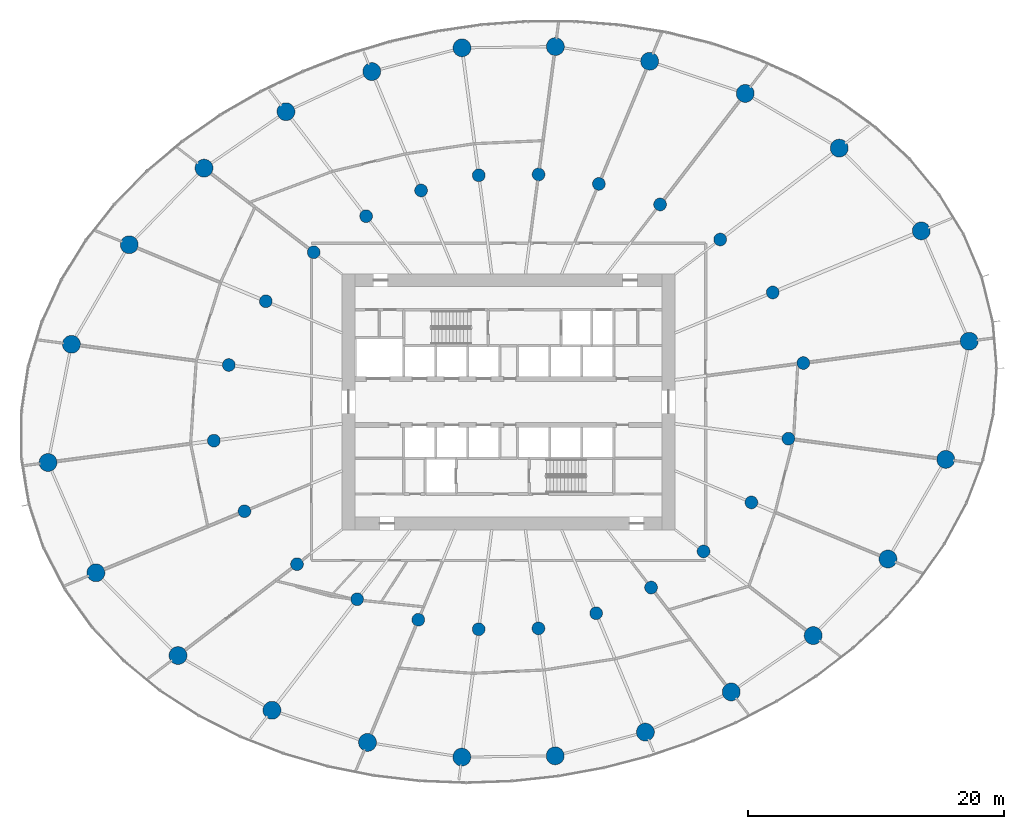
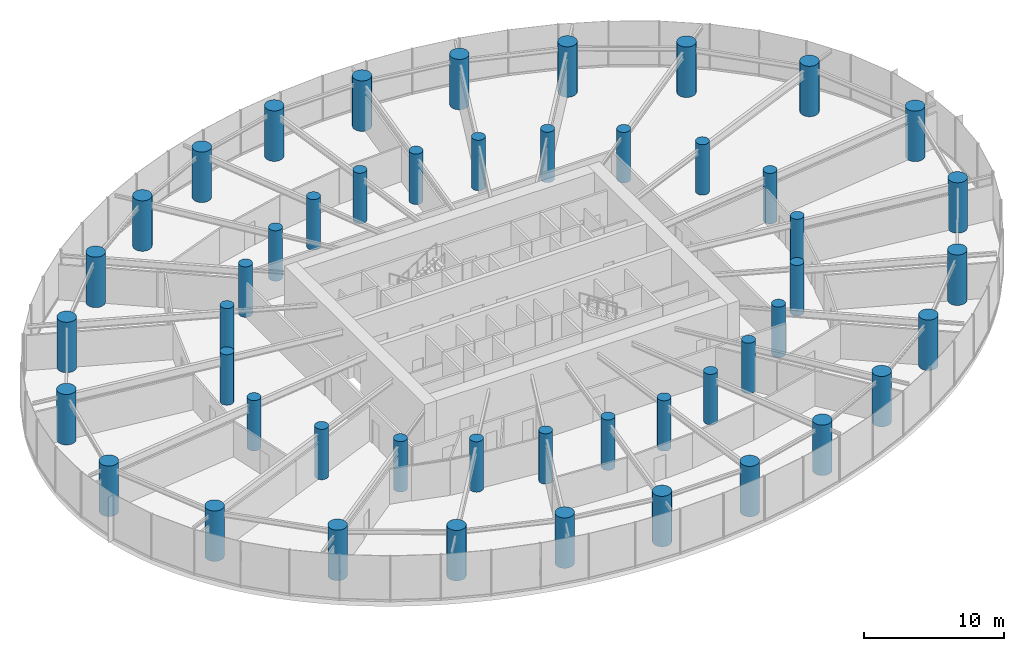
# One storey, part 1 of 19: 48 columns.
"""IFC4 building model written with IfcOpenShell, lengths in metres."""

from ifc_helpers import new_model, si_unit, direction, frame, origin, origin_2d, place, context, subcontext, project, spatial, circle, extrude, source, transform, mapped, material, material_profile, profile_set, type_object, element, save


model = new_model("IFC4")

# Units and contexts
model_context = context("Model", 3, precision=1e-05, world=origin(), true_north=direction((0.0, 1.0)))
body_context = subcontext(model_context, "Body", "Model", "MODEL_VIEW")
ifc_project = project(units=[si_unit("LENGTHUNIT", "METRE"), si_unit("AREAUNIT", "SQUARE_METRE"), si_unit("VOLUMEUNIT", "CUBIC_METRE"), si_unit("PLANEANGLEUNIT", "RADIAN"), si_unit("MASSUNIT", "GRAM", prefix="KILO")], contexts=[model_context])

# Site, building, storey
site_placement = place(None, origin())
site = spatial("IfcSite", under=ifc_project, at=site_placement, CompositionType="ELEMENT")
building_placement = place(site_placement, origin())
building = spatial("IfcBuilding", under=site, at=building_placement, Name="Spindrift Exchange Tower", CompositionType="ELEMENT")
storey_placement = place(building_placement, frame((0.0, 0.0, 49.0)))
storey = spatial("IfcBuildingStorey", under=building, at=storey_placement, Name="L11", CompositionType="ELEMENT", Elevation=49.0)

# Columns
ifc_material = material(Name="Concrete 80 MPa", Category="concrete")
ifc_material_profile_1 = material_profile(ifc_material, circle(Radius=0.699951171875, at=origin_2d()), Name="RC D1400")
ifc_profile_set_1 = profile_set([ifc_material_profile_1], Name="Concrete 80 MPa")
column_type_1 = type_object("IfcColumnType", Name="RC Perimeter Column D1400 Concrete 80 MPa", PredefinedType="COLUMN", material=ifc_profile_set_1)
shared_shape_1 = source(origin(), body_context, "Body", "SweptSolid", [
    extrude(circle(Radius=0.699951171875, at=origin_2d()), origin(), (0.0, 0.0, 1.0), 4.39990234375),
])
for number, where, z_axis, x_axis, name in (
    (1, (87.990478515625, 52.73828125, 0.0), (0.0, 0.0, 1.0), (1.0, 0.0, 0.0), "Perimeter column P1-01 L11"),
    (2, (84.248779296875, 61.35791015625, 0.0), (0.0, 0.0, 1.0), (1.0, 0.0, 0.0), "Perimeter column P1-02 L11"),
    (3, (77.835693359375, 67.82421875, 0.0), (0.0, 0.0, 1.0), (1.0, 0.0, 0.0), "Perimeter column P1-03 L11"),
    (4, (70.4921875, 72.099609375, 0.0), (0.0, 0.0, 1.0), (1.0, 0.0, 0.0), "Perimeter column P1-04 L11"),
    (5, (63.022705078125, 74.611328125, 0.0), (0.0, 0.0, 1.0), (1.0, 0.0, 0.0), "Perimeter column P1-05 L11"),
    (6, (55.65478515625, 75.761474609375, 0.0), (0.0, 0.0, 1.0), (1.0, 0.0, 0.0), "Perimeter column P1-06 L11"),
    (7, (48.3583984375, 75.661376953125, 0.0), (0.0, 0.0, 1.0), (1.0, 0.0, 0.0), "Perimeter column P1-07 L11"),
    (8, (41.309814453125, 73.80859375, 0.0), (0.0, 0.0, 1.0), (1.0, 0.0, 0.0), "Perimeter column P1-08 L11"),
    (9, (34.603515625, 70.671630859375, 0.0), (0.0, 0.0, 1.0), (1.0, 0.0, 0.0), "Perimeter column P1-09 L11"),
    (10, (28.199462890625, 66.2626953125, 0.0), (0.0, 0.0, 1.0), (1.0, 0.0, 0.0), "Perimeter column P1-10 L11"),
    (11, (22.35546875, 60.279296875, 0.0), (0.0, 0.0, 1.0), (1.0, 0.0, 0.0), "Perimeter column P1-11 L11"),
    (12, (17.8388671875, 52.497314453125, 0.0), (0.0, 0.0, 1.0), (1.0, 0.0, 0.0), "Perimeter column P1-12 L11"),
    (13, (16.009521484375, 43.26171875, 0.0), (0.0, 0.0, 1.0), (1.0, 0.0, 0.0), "Perimeter column P1-13 L11"),
    (14, (19.751220703125, 34.64208984375, 0.0), (0.0, 0.0, 1.0), (1.0, 0.0, 0.0), "Perimeter column P1-14 L11"),
    (15, (26.164306640625, 28.17578125, 0.0), (0.0, 0.0, 1.0), (1.0, 0.0, 0.0), "Perimeter column P1-15 L11"),
    (16, (33.5078125, 23.900390625, 0.0), (0.0, 0.0, 1.0), (1.0, 0.0, 0.0), "Perimeter column P1-16 L11"),
    (17, (40.977294921875, 21.388671875, 0.0), (0.0, 0.0, 1.0), (1.0, 0.0, 0.0), "Perimeter column P1-17 L11"),
    (18, (48.34521484375, 20.238525390625, 0.0), (0.0, 0.0, 1.0), (1.0, 0.0, 0.0), "Perimeter column P1-18 L11"),
    (19, (55.6416015625, 20.338623046875, 0.0), (0.0, 0.0, 1.0), (1.0, 0.0, 0.0), "Perimeter column P1-19 L11"),
    (20, (62.690185546875, 22.19140625, 0.0), (0.0, 0.0, 1.0), (1.0, 0.0, 0.0), "Perimeter column P1-20 L11"),
    (21, (69.396484375, 25.328369140625, 0.0), (0.0, 0.0, 1.0), (1.0, 0.0, 0.0), "Perimeter column P1-21 L11"),
    (22, (75.800537109375, 29.7373046875, 0.0), (0.0, 0.0, 1.0), (1.0, 0.0, 0.0), "Perimeter column P1-22 L11"),
    (23, (81.64453125, 35.720703125, 0.0), (0.0, 0.0, 1.0), (1.0, 0.0, 0.0), "Perimeter column P1-23 L11"),
    (24, (86.1611328125, 43.502685546875, 0.0), (0.0, 0.0, 1.0), (1.0, 0.0, 0.0), "Perimeter column P1-24 L11"),
):
    element("IfcColumn", number, at=place(storey_placement, frame(where, z_axis=z_axis, x_axis=x_axis)), inside=storey, type_object=column_type_1, Name=name, PredefinedType="COLUMN", context=body_context, shape_type="MappedRepresentation", body=[
        mapped(shared_shape_1, transform((0.0, 0.0, 0.0), scale=1.0)),
    ])
ifc_material_profile_2 = material_profile(ifc_material, circle(Radius=0.5, at=origin_2d()), Name="RC D1000")
ifc_profile_set_2 = profile_set([ifc_material_profile_2], Name="Concrete 80 MPa")
column_type_2 = type_object("IfcColumnType", Name="RC Inner Column D1000 Concrete 80 MPa", PredefinedType="COLUMN", material=ifc_profile_set_2)
shared_shape_2 = source(origin(), body_context, "Body", "SweptSolid", [
    extrude(circle(Radius=0.5, at=origin_2d()), origin(), (0.0, 0.0, 1.0), 4.39990234375),
])
for number, where, z_axis, x_axis, name in (
    (25, (75.033935546875, 51.032470703125, 0.0), (0.0, 0.0, 1.0), (1.0, 0.0, 0.0), "Inner column Q1-01 L11"),
    (26, (72.639404296875, 56.549072265625, 0.0), (0.0, 0.0, 1.0), (1.0, 0.0, 0.0), "Inner column Q1-02 L11"),
    (27, (68.534912109375, 60.6875, 0.0), (0.0, 0.0, 1.0), (1.0, 0.0, 0.0), "Inner column Q1-03 L11"),
    (28, (63.835205078125, 63.423828125, 0.0), (0.0, 0.0, 1.0), (1.0, 0.0, 0.0), "Inner column Q1-04 L11"),
    (29, (59.0546875, 65.03125, 0.0), (0.0, 0.0, 1.0), (1.0, 0.0, 0.0), "Inner column Q1-05 L11"),
    (30, (54.339111328125, 65.767333984375, 0.0), (0.0, 0.0, 1.0), (1.0, 0.0, 0.0), "Inner column Q1-06 L11"),
    (31, (49.669189453125, 65.703125, 0.0), (0.0, 0.0, 1.0), (1.0, 0.0, 0.0), "Inner column Q1-07 L11"),
    (32, (45.158203125, 64.517578125, 0.0), (0.0, 0.0, 1.0), (1.0, 0.0, 0.0), "Inner column Q1-08 L11"),
    (33, (40.8662109375, 62.510009765625, 0.0), (0.0, 0.0, 1.0), (1.0, 0.0, 0.0), "Inner column Q1-09 L11"),
    (34, (36.767578125, 59.688232421875, 0.0), (0.0, 0.0, 1.0), (1.0, 0.0, 0.0), "Inner column Q1-10 L11"),
    (35, (33.027587890625, 55.858642578125, 0.0), (0.0, 0.0, 1.0), (1.0, 0.0, 0.0), "Inner column Q1-11 L11"),
    (36, (30.13671875, 50.87841796875, 0.0), (0.0, 0.0, 1.0), (1.0, 0.0, 0.0), "Inner column Q1-12 L11"),
    (37, (28.966064453125, 44.967529296875, 0.0), (0.0, 0.0, 1.0), (1.0, 0.0, 0.0), "Inner column Q1-13 L11"),
    (38, (31.360595703125, 39.450927734375, 0.0), (0.0, 0.0, 1.0), (1.0, 0.0, 0.0), "Inner column Q1-14 L11"),
    (39, (35.465087890625, 35.3125, 0.0), (0.0, 0.0, 1.0), (1.0, 0.0, 0.0), "Inner column Q1-15 L11"),
    (40, (40.164794921875, 32.576171875, 0.0), (0.0, 0.0, 1.0), (1.0, 0.0, 0.0), "Inner column Q1-16 L11"),
    (41, (44.9453125, 30.96875, 0.0), (0.0, 0.0, 1.0), (1.0, 0.0, 0.0), "Inner column Q1-17 L11"),
    (42, (49.660888671875, 30.232666015625, 0.0), (0.0, 0.0, 1.0), (1.0, 0.0, 0.0), "Inner column Q1-18 L11"),
    (43, (54.330810546875, 30.296875, 0.0), (0.0, 0.0, 1.0), (1.0, 0.0, 0.0), "Inner column Q1-19 L11"),
    (44, (58.841796875, 31.482421875, 0.0), (0.0, 0.0, 1.0), (1.0, 0.0, 0.0), "Inner column Q1-20 L11"),
    (45, (63.1337890625, 33.489990234375, 0.0), (0.0, 0.0, 1.0), (1.0, 0.0, 0.0), "Inner column Q1-21 L11"),
    (46, (67.232421875, 36.311767578125, 0.0), (0.0, 0.0, 1.0), (1.0, 0.0, 0.0), "Inner column Q1-22 L11"),
    (47, (70.972412109375, 40.141357421875, 0.0), (0.0, 0.0, 1.0), (1.0, 0.0, 0.0), "Inner column Q1-23 L11"),
    (48, (73.86328125, 45.12158203125, 0.0), (0.0, 0.0, 1.0), (1.0, 0.0, 0.0), "Inner column Q1-24 L11"),
):
    element("IfcColumn", number, at=place(storey_placement, frame(where, z_axis=z_axis, x_axis=x_axis)), inside=storey, type_object=column_type_2, Name=name, PredefinedType="COLUMN", context=body_context, shape_type="MappedRepresentation", body=[
        mapped(shared_shape_2, transform((0.0, 0.0, 0.0), scale=1.0)),
    ])

save(model, "model.ifc")
